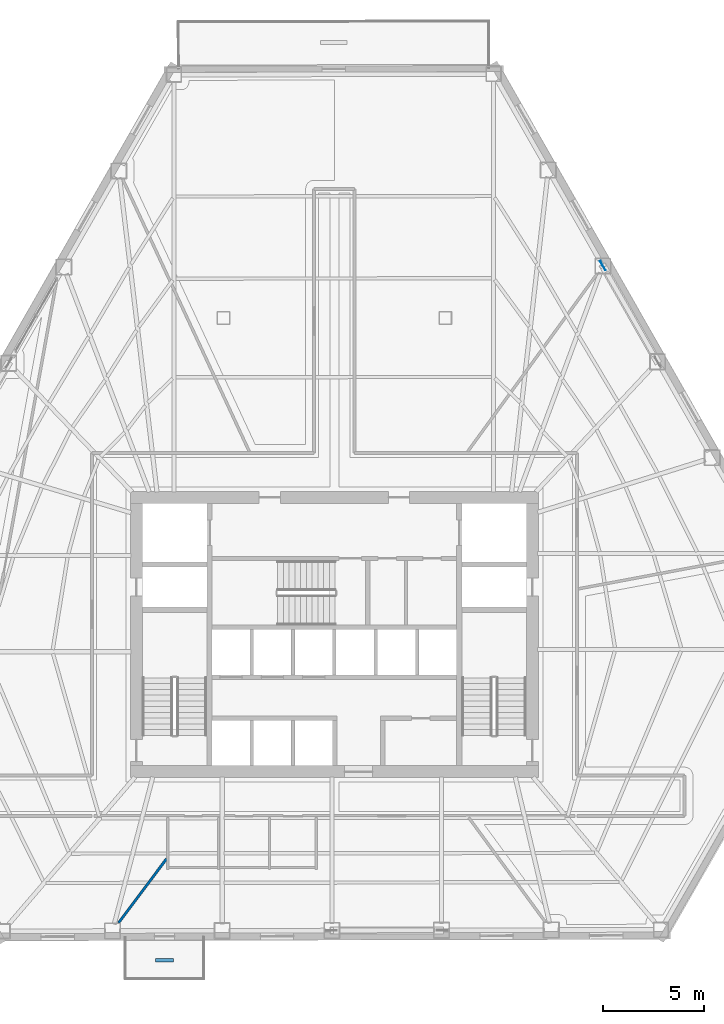
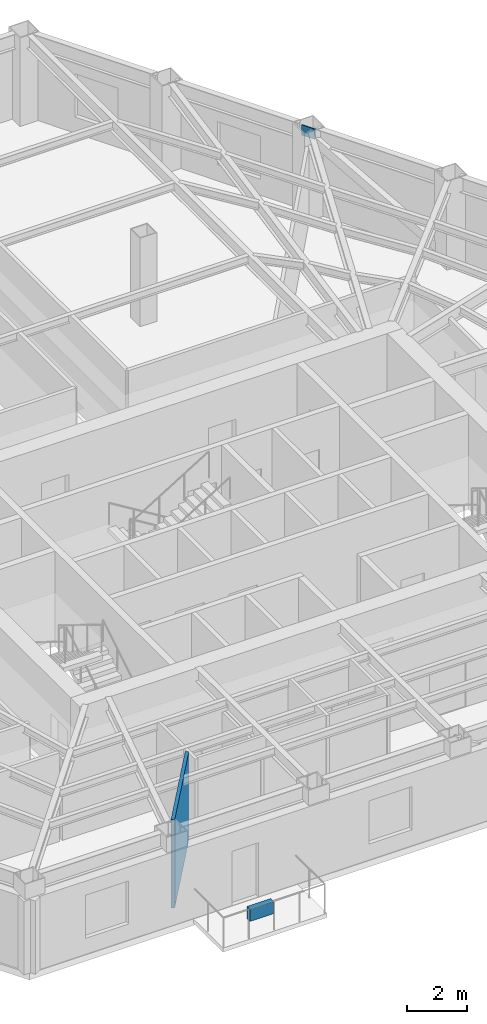
# One storey, part 7 of 14: 2 walls, 1 plate.
"""IFC4 building model written with IfcOpenShell, lengths in metres."""

from ifc_helpers import new_model, si_unit, direction, frame, frame_2d, origin, origin_2d, place, context, subcontext, project, spatial, rectangle, extrude, material, layer, layer_set, type_object, element, save


model = new_model("IFC4")

# Units and contexts
model_context = context("Model", 3, precision=1e-05, world=origin(), true_north=direction((0.0, 1.0)))
body_context = subcontext(model_context, "Body", "Model", "MODEL_VIEW")
ifc_project = project(units=[si_unit("LENGTHUNIT", "METRE"), si_unit("AREAUNIT", "SQUARE_METRE"), si_unit("VOLUMEUNIT", "CUBIC_METRE"), si_unit("PLANEANGLEUNIT", "RADIAN"), si_unit("MASSUNIT", "GRAM", prefix="KILO")], contexts=[model_context])

# Site, building, storey
site_placement = place(None, origin())
site = spatial("IfcSite", under=ifc_project, at=site_placement, CompositionType="ELEMENT")
building_placement = place(site_placement, origin())
building = spatial("IfcBuilding", under=site, at=building_placement, Name="Kavelnor Concourse Tower", CompositionType="ELEMENT")
storey_placement = place(building_placement, frame((0.0, 0.0, 17.550048828125)))
storey = spatial("IfcBuildingStorey", under=building, at=storey_placement, Name="L04", CompositionType="ELEMENT", Elevation=17.550048828125)

# Plate
ifc_material_1 = material(Name="Steel Grade 350", Category="steel")
ifc_layer_1 = layer(ifc_material_1, 0.031982421875, Name="Steel Grade 350")
ifc_layer_set_1 = layer_set([ifc_layer_1], Name="Steel Grade 350")
plate_type = type_object("IfcPlateType", Name="PL-GUSSET-TUBE-Z1", PredefinedType="USERDEFINED", material=ifc_layer_set_1)
plate_placement = place(storey_placement, frame((51.310302734375, 34.39013671875, 3.073974609375), z_axis=(0.0, 0.0, 1.0), x_axis=(-0.495155428655, 0.868804409216, 0.0)))
element("IfcPlate", 1, at=plate_placement, inside=storey, type_object=plate_type, Name="L04 Tube Brace Gusset GP3 F2-B3 End Gusset B", ObjectType="GUSSET_PLATE", PredefinedType="USERDEFINED", context=body_context, shape_type="SweptSolid", body=[
    extrude(rectangle(XDim=0.52001953125, YDim=0.031982421875, at=origin_2d()), origin(), (0.0, 0.0, 1.0), 0.419921875),
])

# Walls
ifc_material_2 = material(Name="Gypsum plasterboard on light-gauge steel studs", Category="steel")
ifc_layer_2 = layer(ifc_material_2, 0.125, Name="Gypsum plasterboard on light-gauge steel studs")
ifc_layer_set_2 = layer_set([ifc_layer_2], Name="Gypsum plasterboard on light-gauge steel studs")
wall_type_1 = type_object("IfcWallType", Name="WL-INT-SUITE-125", PredefinedType="PARTITIONING", material=ifc_layer_set_2)
wall_1_placement = place(storey_placement, frame((29.677001953125, 4.9794921875, 0.0), z_axis=(0.0, 0.0, 1.0), x_axis=(-0.599201259021, -0.800598433166, 0.0)))
element("IfcWall", 2, at=wall_1_placement, inside=storey, type_object=wall_type_1, Name="L04 Radial Suite Partition 04", PredefinedType="PARTITIONING", context=body_context, shape_type="SweptSolid", body=[
    extrude(rectangle(XDim=3.962890625, YDim=0.125, at=frame_2d((1.9814453125, 0.0))), origin(), (0.0, 0.0, 1.0), 3.58984375),
])
ifc_material_3 = material(Name="Architectural precast planter concrete C40/50", Category="concrete")
ifc_layer_3 = layer(ifc_material_3, 0.18994140625, Name="Architectural precast planter concrete C40/50")
ifc_layer_set_3 = layer_set([ifc_layer_3], Name="Architectural precast planter concrete C40/50")
wall_type_2 = type_object("IfcWallType", Name="WL-PLANTER-KERB-190", PredefinedType="USERDEFINED", material=ifc_layer_set_3)
wall_2_placement = place(storey_placement, frame((29.129638671875, -0.05126953125, 0.0), z_axis=(0.0, 0.0, 1.0), x_axis=(0.999997644746, 0.002170369278, 0.0)))
element("IfcWall", 3, at=wall_2_placement, inside=storey, type_object=wall_type_2, Name="L04 Tree Balcony 1 Tree Planter Kerb", ObjectType="PLANTER", PredefinedType="USERDEFINED", context=body_context, shape_type="SweptSolid", body=[
    extrude(rectangle(XDim=0.89990234375, YDim=0.18994140625, at=frame_2d((0.449951171875, 0.0))), origin(), (0.0, 0.0, 1.0), 0.5),
])

save(model, "model.ifc")
